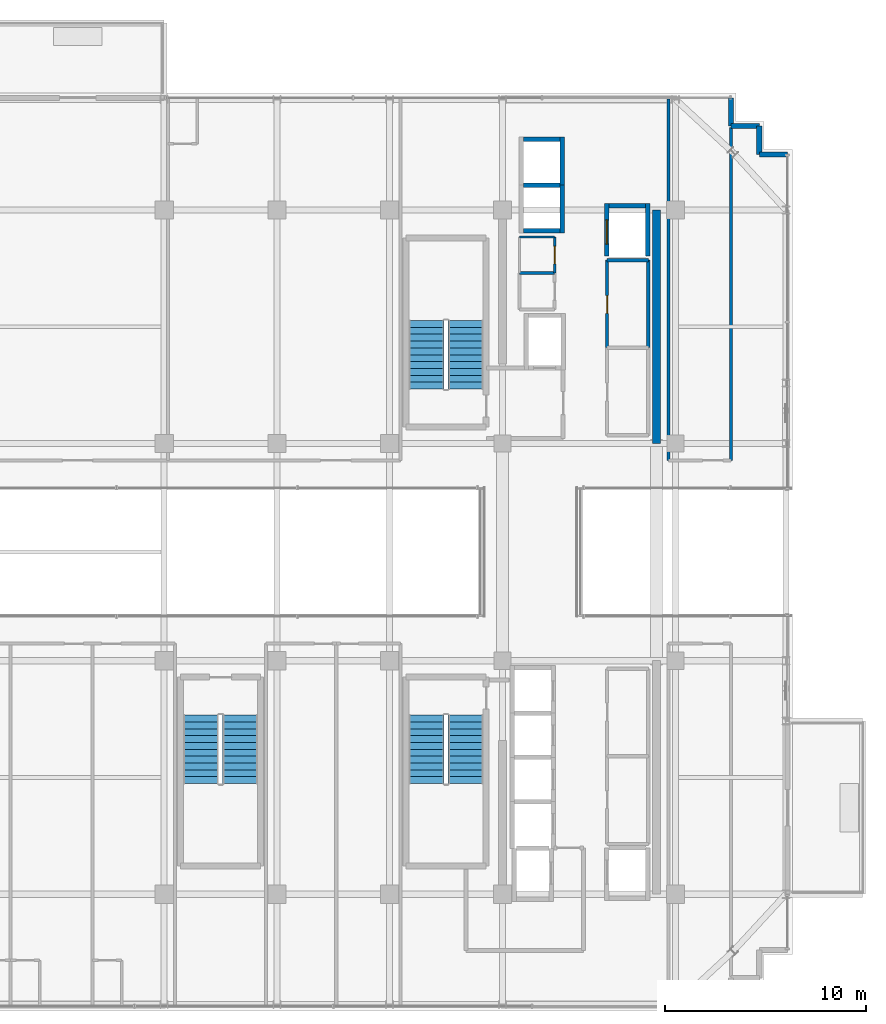
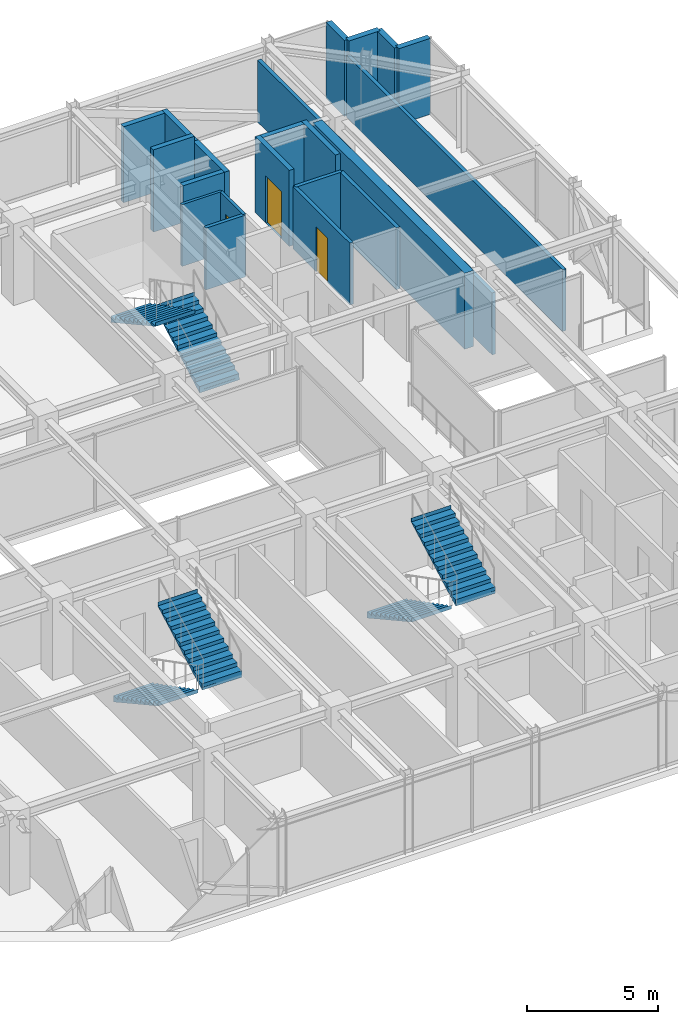
# One storey, part 35 of 39: 21 walls, 6 stair flights, 3 doors, 3 openings, 3 elements without a shape of their own.
"""IFC4 building model written with IfcOpenShell, lengths in metres."""

from ifc_helpers import new_model, si_unit, direction, frame, frame_2d, origin, place, context, subcontext, project, spatial, polyline, rectangle, outline, extrude, source, transform, mapped, material, layer, layer_set, type_object, element, fill, aggregate, save


model = new_model("IFC4")

# Units and contexts
model_context = context("Model", 3, precision=1e-05, world=origin(), true_north=direction((0.0, 1.0)))
body_context = subcontext(model_context, "Body", "Model", "MODEL_VIEW")
ifc_project = project(units=[si_unit("LENGTHUNIT", "METRE"), si_unit("AREAUNIT", "SQUARE_METRE"), si_unit("VOLUMEUNIT", "CUBIC_METRE"), si_unit("PLANEANGLEUNIT", "RADIAN"), si_unit("MASSUNIT", "GRAM", prefix="KILO")], contexts=[model_context])

# Site, building, storey
site_placement = place(None, origin())
site = spatial("IfcSite", under=ifc_project, at=site_placement, CompositionType="ELEMENT")
building_placement = place(site_placement, origin())
building = spatial("IfcBuilding", under=site, at=building_placement, Name="Nahalor Promenade Grand Hotel", CompositionType="ELEMENT")
storey_placement = place(building_placement, frame((0.0, 0.0, 311.89990234375)))
storey = spatial("IfcBuildingStorey", under=building, at=storey_placement, Name="L80", CompositionType="ELEMENT", Elevation=311.89990234375)

# Walls
ifc_material_1 = material(Name="Concrete B-50 (C40/50)", Category="concrete")
ifc_layer_1 = layer(ifc_material_1, 0.39990234375)
ifc_layer_set_1 = layer_set([ifc_layer_1], Name="Concrete B-50 (C40/50)")
wall_type_1 = type_object("IfcWallType", Name="Wall-CoreShear-400", PredefinedType="SHEAR", material=ifc_layer_set_1)
shared_shape_1 = source(origin(), body_context, "Body", "SweptSolid", [
    extrude(rectangle(XDim=11.60009765625, YDim=0.39990234375, at=frame_2d((5.800048828125, 0.0))), origin(), (0.0, 0.0, 1.0), 3.550048828125),
])
wall_1_placement = place(storey_placement, frame((16.050048828125, 5.39990234375, 0.0), z_axis=(0.0, 0.0, 1.0), x_axis=(0.0, 1.0, 0.0)))
element("IfcWall", 1, at=wall_1_placement, inside=storey, type_object=wall_type_1, Name="CWALL-L80-NE", PredefinedType="SHEAR", context=body_context, shape_type="MappedRepresentation", body=[
    mapped(shared_shape_1, transform((0.0, 0.0, 0.0), scale=1.0)),
])
ifc_layer_2 = layer(ifc_material_1, 0.219970703125)
ifc_layer_set_2 = layer_set([ifc_layer_2], Name="Concrete B-50 (C40/50)")
wall_type_2 = type_object("IfcWallType", Name="Wall-LiftShaft-220", PredefinedType="SHEAR", material=ifc_layer_set_2)
shared_shape_2 = source(origin(), body_context, "Body", "SweptSolid", [
    extrude(rectangle(XDim=1.820068359375, YDim=0.219970703125, at=frame_2d((0.91015625, 0.0))), origin(), (0.0, 0.0, 1.0), 3.550048828125),
])
for number, where, z_axis, x_axis, name in (
    (2, (9.43994140625, 15.949951171875, 0.0), (0.0, 0.0, 1.0), (1.0, 0.0, 0.0), "L80 Lift OB1 Hoistway Wall S"),
    (3, (9.43994140625, 20.5, 0.0), (0.0, 0.0, 1.0), (1.0, 0.0, 0.0), "L80 Lift OB2 Hoistway Wall N"),
    (4, (13.68994140625, 17.199951171875, 0.0), (0.0, 0.0, 1.0), (1.0, 0.0, 0.0), "L80 Lift SV1 Hoistway Wall N"),
):
    element("IfcWall", number, at=place(storey_placement, frame(where, z_axis=z_axis, x_axis=x_axis)), inside=storey, type_object=wall_type_2, Name=name, PredefinedType="SHEAR", context=body_context, shape_type="MappedRepresentation", body=[
        mapped(shared_shape_2, transform((0.0, 0.0, 0.0), scale=1.0)),
    ])
shared_shape_3 = source(origin(), body_context, "Body", "SweptSolid", [
    extrude(rectangle(XDim=1.820068359375, YDim=0.219970703125, at=frame_2d((0.91015625, 0.0))), origin(), (0.0, 0.0, 1.0), 3.85009765625),
])
wall_2_placement = place(storey_placement, frame((9.43994140625, 18.22509765625, 0.0), z_axis=(0.0, 0.0, 1.0), x_axis=(1.0, 0.0, 0.0)))
element("IfcWall", 5, at=wall_2_placement, inside=storey, type_object=wall_type_2, Name="L80 Lift OB1 Hoistway Wall N", PredefinedType="SHEAR", context=body_context, shape_type="MappedRepresentation", body=[
    mapped(shared_shape_3, transform((0.0, 0.0, 0.0), scale=1.0)),
])
shared_shape_4 = source(origin(), body_context, "Body", "SweptSolid", [
    extrude(rectangle(XDim=2.385009765625, YDim=0.219970703125, at=frame_2d((1.1923828125, 0.0))), origin(), (0.0, 0.0, 1.0), 3.550048828125),
])
for number, where, z_axis, x_axis, name in (
    (6, (11.3701171875, 15.840087890625, 0.0), (0.0, 0.0, 1.0), (0.0, 1.0, 0.0), "L80 Lift OB1 Hoistway Wall E"),
    (7, (11.3701171875, 18.22509765625, 0.0), (0.0, 0.0, 1.0), (0.0, 1.0, 0.0), "L80 Lift OB2 Hoistway Wall E"),
):
    element("IfcWall", number, at=place(storey_placement, frame(where, z_axis=z_axis, x_axis=x_axis)), inside=storey, type_object=wall_type_2, Name=name, PredefinedType="SHEAR", context=body_context, shape_type="MappedRepresentation", body=[
        mapped(shared_shape_4, transform((0.0, 0.0, 0.0), scale=1.0)),
    ])

# Wall, opening, door
shared_shape_5 = source(origin(), body_context, "Body", "SweptSolid", [
    extrude(rectangle(XDim=2.610107421875, YDim=0.219970703125, at=frame_2d((1.30517578125, 0.0))), origin(), (0.0, 0.0, 1.0), 3.550048828125),
])
wall_3_placement = place(storey_placement, frame((13.580078125, 14.699951171875, 0.0), z_axis=(0.0, 0.0, 1.0), x_axis=(0.0, 1.0, 0.0)))
wall_3 = element("IfcWall", 8, at=wall_3_placement, inside=storey, type_object=wall_type_2, Name="L80 Lift SV1 Hoistway Wall W", PredefinedType="SHEAR", context=body_context, shape_type="MappedRepresentation", body=[
    mapped(shared_shape_5, transform((0.0, 0.0, 0.0), scale=1.0)),
])
opening_1_placement = place(wall_3_placement, frame((0.60009765625, 0.0, 0.0)))
opening_1 = element("IfcOpeningElement", 9, at=opening_1_placement, cuts=wall_3, Name="Opening LD-03", PredefinedType="OPENING", context=body_context, shape_type="SweptSolid", body=[
    extrude(rectangle(XDim=1.199951171875, YDim=2.199951171875, at=frame_2d((0.60009765625, 1.10009765625))), frame((0.0, 0.119873046875, 0.0), z_axis=(0.0, -1.0, 0.0), x_axis=(1.0, 0.0, 0.0)), (0.0, 0.0, 1.0), 0.239990234375),
])
ifc_material_2 = material(Name="Steel S355JR", Category="steel")
door_type_1 = type_object("IfcDoorType", Name="Door-LiftService-1200", OperationType="DOUBLE_DOOR_SLIDING", PredefinedType="DOOR", material=ifc_material_2)
shared_shape_6 = source(origin(), body_context, "Body", "SweptSolid", [
    extrude(rectangle(XDim=1.199951171875, YDim=2.199951171875, at=frame_2d((0.60009765625, 1.10009765625))), frame((0.0, 0.02490234375, 0.0), z_axis=(0.0, -1.0, 0.0), x_axis=(1.0, 0.0, 0.0)), (0.0, 0.0, 1.0), 0.050048828125),
])
door_1_placement = place(opening_1_placement, origin())
door_1 = element("IfcDoor", 10, at=door_1_placement, inside=storey, type_object=door_type_1, Name="DR-LIFT-SV1-L80", OperationType="DOUBLE_DOOR_SLIDING", OverallHeight=2.199951171875, OverallWidth=1.199951171875, PredefinedType="DOOR", context=body_context, shape_type="MappedRepresentation", body=[
    mapped(shared_shape_6, transform((0.0, 0.0, 0.0), scale=1.0)),
])
fill(opening_1, door_1)

# Walls
wall_4_placement = place(storey_placement, frame((15.6201171875, 14.699951171875, 0.0), z_axis=(0.0, 0.0, 1.0), x_axis=(0.0, 1.0, 0.0)))
element("IfcWall", 11, at=wall_4_placement, inside=storey, type_object=wall_type_2, Name="L80 Lift SV1 Hoistway Wall E", PredefinedType="SHEAR", context=body_context, shape_type="MappedRepresentation", body=[
    mapped(shared_shape_5, transform((0.0, 0.0, 0.0), scale=1.0)),
])
ifc_material_3 = material(Name="Concrete B-40 (C32/40)", Category="concrete")
ifc_layer_3 = layer(ifc_material_3, 0.25)
ifc_layer_set_3 = layer_set([ifc_layer_3], Name="Concrete B-40 (C32/40)")
wall_type_3 = type_object("IfcWallType", Name="Wall-BronzePier-250", PredefinedType="STANDARD", material=ifc_layer_set_3)
shared_shape_7 = source(origin(), body_context, "Body", "SweptSolid", [
    extrude(rectangle(XDim=1.400146484375, YDim=0.25, at=frame_2d((0.7001953125, 0.0))), origin(), (0.0, 0.0, 1.0), 3.550048828125),
])
for number, where, z_axis, x_axis, name in (
    (12, (21.159912109375, 19.760009765625, 0.0), (0.0, 0.0, 1.0), (1.0, 0.0, 0.0), "W-L80-SR-05"),
    (13, (19.760009765625, 21.159912109375, 0.0), (0.0, 0.0, 1.0), (0.0, 1.0, 0.0), "W-L80-SR-08"),
):
    element("IfcWall", number, at=place(storey_placement, frame(where, z_axis=z_axis, x_axis=x_axis)), inside=storey, type_object=wall_type_3, Name=name, PredefinedType="STANDARD", context=body_context, shape_type="MappedRepresentation", body=[
        mapped(shared_shape_7, transform((0.0, 0.0, 0.0), scale=1.0)),
    ])
shared_shape_8 = source(origin(), body_context, "Body", "SweptSolid", [
    extrude(rectangle(XDim=1.39990234375, YDim=0.25, at=frame_2d((0.699951171875, 0.0))), origin(), (0.0, 0.0, 1.0), 3.550048828125),
])
for number, where, z_axis, x_axis, name in (
    (14, (21.159912109375, 19.760009765625, 0.0), (0.0, 0.0, 1.0), (0.0, 1.0, 0.0), "W-L80-SR-06"),
    (15, (19.760009765625, 21.159912109375, 0.0), (0.0, 0.0, 1.0), (1.0, 0.0, 0.0), "W-L80-SR-07"),
):
    element("IfcWall", number, at=place(storey_placement, frame(where, z_axis=z_axis, x_axis=x_axis)), inside=storey, type_object=wall_type_3, Name=name, PredefinedType="STANDARD", context=body_context, shape_type="MappedRepresentation", body=[
        mapped(shared_shape_8, transform((0.0, 0.0, 0.0), scale=1.0)),
    ])
ifc_material_4 = material(Name="Acoustic Mineral Gypsum", Category="gypsum")
ifc_layer_4 = layer(ifc_material_4, 0.14990234375)
ifc_layer_set_4 = layer_set([ifc_layer_4], Name="Acoustic Mineral Gypsum")
wall_type_4 = type_object("IfcWallType", Name="Wall-PartService-150", PredefinedType="PARTITIONING", material=ifc_layer_set_4)
shared_shape_9 = source(origin(), body_context, "Body", "SweptSolid", [
    extrude(rectangle(XDim=1.75, YDim=0.14990234375, at=frame_2d((0.875, 0.0))), origin(), (0.0, 0.0, 1.0), 2.89013671875),
])
wall_5_placement = place(storey_placement, frame((9.25, 13.85009765625, 0.0), z_axis=(0.0, 0.0, 1.0), x_axis=(1.0, 0.0, 0.0)))
element("IfcWall", 16, at=wall_5_placement, inside=storey, type_object=wall_type_4, Name="W-L80-CK2A-N", PredefinedType="PARTITIONING", context=body_context, shape_type="MappedRepresentation", body=[
    mapped(shared_shape_9, transform((0.0, 0.0, 0.0), scale=1.0)),
])
ifc_layer_5 = layer(ifc_material_4, 0.1201171875)
ifc_layer_set_5 = layer_set([ifc_layer_5], Name="Acoustic Mineral Gypsum")
wall_type_5 = type_object("IfcWallType", Name="Wall-PartBath-120", PredefinedType="PARTITIONING", material=ifc_layer_set_5)
shared_shape_10 = source(origin(), body_context, "Body", "SweptSolid", [
    extrude(rectangle(XDim=1.75, YDim=0.1201171875, at=frame_2d((0.875, 0.0))), origin(), (0.0, 0.0, 1.0), 2.89013671875),
])
wall_6_placement = place(storey_placement, frame((9.25, 15.64990234375, 0.0), z_axis=(0.0, 0.0, 1.0), x_axis=(1.0, 0.0, 0.0)))
element("IfcWall", 17, at=wall_6_placement, inside=storey, type_object=wall_type_5, Name="W-L80-CK2B-N", PredefinedType="PARTITIONING", context=body_context, shape_type="MappedRepresentation", body=[
    mapped(shared_shape_10, transform((0.0, 0.0, 0.0), scale=1.0)),
])
ifc_layer_6 = layer(ifc_material_4, 0.159912109375)
ifc_layer_set_6 = layer_set([ifc_layer_6], Name="Acoustic Mineral Gypsum")
wall_type_6 = type_object("IfcWallType", Name="Wall-PartCorridor-160", PredefinedType="PARTITIONING", material=ifc_layer_set_6)
shared_shape_11 = source(origin(), body_context, "Body", "SweptSolid", [
    extrude(rectangle(XDim=2.0498046875, YDim=0.159912109375, at=frame_2d((1.02490234375, 0.0))), origin(), (0.0, 0.0, 1.0), 2.89013671875),
])
wall_7_placement = place(storey_placement, frame((13.60009765625, 14.5, 0.0), z_axis=(0.0, 0.0, 1.0), x_axis=(1.0, 0.0, 0.0)))
element("IfcWall", 18, at=wall_7_placement, inside=storey, type_object=wall_type_6, Name="W-L80-FRB1B-N", PredefinedType="PARTITIONING", context=body_context, shape_type="MappedRepresentation", body=[
    mapped(shared_shape_11, transform((0.0, 0.0, 0.0), scale=1.0)),
])
shared_shape_12 = source(origin(), body_context, "Body", "SweptSolid", [
    extrude(rectangle(XDim=17.949951171875, YDim=0.159912109375, at=frame_2d((8.97509765625, 0.0))), origin(), (0.0, 0.0, 1.0), 2.89013671875),
])
wall_8_placement = place(storey_placement, frame((16.64990234375, 4.550048828125, 0.0), z_axis=(0.0, 0.0, 1.0), x_axis=(0.0, 1.0, 0.0)))
element("IfcWall", 19, at=wall_8_placement, inside=storey, type_object=wall_type_6, Name="W-L80-ENE-W", PredefinedType="PARTITIONING", context=body_context, shape_type="MappedRepresentation", body=[
    mapped(shared_shape_12, transform((0.0, 0.0, 0.0), scale=1.0)),
])
shared_shape_13 = source(origin(), body_context, "Body", "SweptSolid", [
    extrude(rectangle(XDim=16.530029296875, YDim=0.159912109375, at=frame_2d((8.26513671875, 0.0))), origin(), (0.0, 0.0, 1.0), 2.89013671875),
])
wall_9_placement = place(storey_placement, frame((19.760009765625, 4.550048828125, 0.0), z_axis=(0.0, 0.0, 1.0), x_axis=(0.0, 1.0, 0.0)))
element("IfcWall", 20, at=wall_9_placement, inside=storey, type_object=wall_type_6, Name="W-L80-ENE-E", PredefinedType="PARTITIONING", context=body_context, shape_type="MappedRepresentation", body=[
    mapped(shared_shape_13, transform((0.0, 0.0, 0.0), scale=1.0)),
])

# Wall, opening, door
shared_shape_14 = source(origin(), body_context, "Body", "SweptSolid", [
    extrude(rectangle(XDim=1.7998046875, YDim=0.1201171875, at=frame_2d((0.89990234375, 0.0))), origin(), (0.0, 0.0, 1.0), 2.89013671875),
])
wall_10_placement = place(storey_placement, frame((11.0, 13.85009765625, 0.0), z_axis=(0.0, 0.0, 1.0), x_axis=(0.0, 1.0, 0.0)))
wall_10 = element("IfcWall", 21, at=wall_10_placement, inside=storey, type_object=wall_type_5, Name="W-L80-CK2B-E", PredefinedType="PARTITIONING", context=body_context, shape_type="MappedRepresentation", body=[
    mapped(shared_shape_14, transform((0.0, 0.0, 0.0), scale=1.0)),
])
opening_2_placement = place(wall_10_placement, frame((0.4599609375, 0.0, 0.0)))
opening_2 = element("IfcOpeningElement", 22, at=opening_2_placement, cuts=wall_10, Name="Opening D-03", PredefinedType="OPENING", context=body_context, shape_type="SweptSolid", body=[
    extrude(rectangle(XDim=0.8798828125, YDim=2.10009765625, at=frame_2d((0.43994140625, 1.050048828125))), frame((0.0, 0.070068359375, 0.0), z_axis=(0.0, -1.0, 0.0), x_axis=(1.0, 0.0, 0.0)), (0.0, 0.0, 1.0), 0.14013671875),
])
ifc_material_5 = material(Name="Fire-Rated Timber Composite", Category="wood")
door_type_2 = type_object("IfcDoorType", Name="Door-BathSwing-880", OperationType="NOTDEFINED", PredefinedType="DOOR", material=ifc_material_5)
shared_shape_15 = source(origin(), body_context, "Body", "SweptSolid", [
    extrude(rectangle(XDim=0.8798828125, YDim=2.10009765625, at=frame_2d((0.43994140625, 1.050048828125))), frame((0.0, 0.02490234375, 0.0), z_axis=(0.0, -1.0, 0.0), x_axis=(1.0, 0.0, 0.0)), (0.0, 0.0, 1.0), 0.050048828125),
])
door_2_placement = place(opening_2_placement, origin())
door_2 = element("IfcDoor", 23, at=door_2_placement, inside=storey, type_object=door_type_2, Name="DR-L80-CK2B", OperationType="SINGLE_SWING_LEFT", OverallHeight=2.10009765625, OverallWidth=0.8798828125, PredefinedType="DOOR", context=body_context, shape_type="MappedRepresentation", body=[
    mapped(shared_shape_15, transform((0.0, 0.0, 0.0), scale=1.0)),
])
fill(opening_2, door_2)

shared_shape_16 = source(origin(), body_context, "Body", "SweptSolid", [
    extrude(rectangle(XDim=4.35009765625, YDim=0.159912109375, at=frame_2d((2.175048828125, 0.0))), origin(), (0.0, 0.0, 1.0), 2.89013671875),
])
wall_11_placement = place(storey_placement, frame((13.60009765625, 10.14990234375, 0.0), z_axis=(0.0, 0.0, 1.0), x_axis=(0.0, 1.0, 0.0)))
wall_11 = element("IfcWall", 24, at=wall_11_placement, inside=storey, type_object=wall_type_6, Name="W-L80-FRB1B-W", PredefinedType="PARTITIONING", context=body_context, shape_type="MappedRepresentation", body=[
    mapped(shared_shape_16, transform((0.0, 0.0, 0.0), scale=1.0)),
])
opening_3_placement = place(wall_11_placement, frame((1.7099609375, 0.0, 0.0)))
opening_3 = element("IfcOpeningElement", 25, at=opening_3_placement, cuts=wall_11, Name="Opening D-03", PredefinedType="OPENING", context=body_context, shape_type="SweptSolid", body=[
    extrude(rectangle(XDim=0.8798828125, YDim=2.10009765625, at=frame_2d((0.43994140625, 1.050048828125))), frame((0.0, 0.08984375, 0.0), z_axis=(0.0, -1.0, 0.0), x_axis=(1.0, 0.0, 0.0)), (0.0, 0.0, 1.0), 0.179931640625),
])
door_3_placement = place(opening_3_placement, frame((0.8798828125, 0.0, 0.0), z_axis=(0.0, 0.0, 1.0), x_axis=(-1.0, 0.0, 0.0)))
door_3 = element("IfcDoor", 26, at=door_3_placement, inside=storey, type_object=door_type_2, Name="DR-L80-FRB1B", OperationType="SINGLE_SWING_LEFT", OverallHeight=2.10009765625, OverallWidth=0.8798828125, PredefinedType="DOOR", context=body_context, shape_type="MappedRepresentation", body=[
    mapped(shared_shape_15, transform((0.0, 0.0, 0.0), scale=1.0)),
])
fill(opening_3, door_3)

# Wall
wall_12_placement = place(storey_placement, frame((15.64990234375, 10.14990234375, 0.0), z_axis=(0.0, 0.0, 1.0), x_axis=(0.0, 1.0, 0.0)))
element("IfcWall", 27, at=wall_12_placement, inside=storey, type_object=wall_type_6, Name="W-L80-FRB1B-E", PredefinedType="PARTITIONING", context=body_context, shape_type="MappedRepresentation", body=[
    mapped(shared_shape_16, transform((0.0, 0.0, 0.0), scale=1.0)),
])

# Stair, stair flights
stair_type_1 = type_object("IfcStairType", Name="Stair-ST1", PredefinedType="HALF_TURN_STAIR", material=ifc_material_1)
stair_1_placement = place(storey_placement, origin())
stair_1 = element("IfcStair", 28, at=stair_1_placement, inside=storey, type_object=stair_type_1, Name="L80 ST1", PredefinedType="HALF_TURN_STAIR")
ifc_layer_7 = layer(ifc_material_1, 0.179931640625)
ifc_layer_set_7 = layer_set([ifc_layer_7], Name="Concrete B-50 (C40/50)")
stair_flight_type_1 = type_object("IfcStairFlightType", Name="Flight-ST1", PredefinedType="STRAIGHT", material=ifc_layer_set_7)
shared_shape_17 = source(origin(), body_context, "Body", "SweptSolid", [
    extrude(outline(polyline([(-0.00390625, -0.1201171875), (-0.00390625, 0.0), (0.0, 0.0), (0.0, 0.175048828125), (0.340087890625, 0.175048828125), (0.340087890625, 0.35009765625), (0.679931640625, 0.35009765625), (0.679931640625, 0.52490234375), (1.02001953125, 0.52490234375), (1.02001953125, 0.699951171875), (1.360107421875, 0.699951171875), (1.360107421875, 0.875), (1.699951171875, 0.875), (1.699951171875, 1.050048828125), (2.0400390625, 1.050048828125), (2.0400390625, 1.22509765625), (2.3798828125, 1.22509765625), (2.3798828125, 1.39990234375), (2.719970703125, 1.39990234375), (2.719970703125, 1.574951171875), (3.06005859375, 1.574951171875), (3.06005859375, 1.75), (3.39990234375, 1.75), (3.39990234375, 1.925048828125), (3.404052734375, 1.925048828125), (3.404052734375, 1.7451171875), (0.02001953125, -0.1201171875), (-0.00390625, -0.1201171875)])), frame((0.0, 0.875, 0.0), z_axis=(0.0, -1.0, 0.0), x_axis=(1.0, 0.0, 0.0)), (0.0, 0.0, 1.0), 1.75),
])
stair_flight_1_placement = place(storey_placement, frame((6.574951171875, 8.10009765625, 0.0), z_axis=(0.0, 0.0, 1.0), x_axis=(0.0, 1.0, 0.0)))
stair_flight_1 = element("IfcStairFlight", 29, at=stair_flight_1_placement, type_object=stair_flight_type_1, Name="ST1 flight 1", NumberOfRisers=11, NumberOfTreads=10, PredefinedType="STRAIGHT", RiserHeight=0.175, TreadLength=0.34, context=body_context, shape_type="MappedRepresentation", body=[
    mapped(shared_shape_17, transform((0.0, 0.0, 0.0), scale=1.0)),
])
stair_flight_2_placement = place(storey_placement, frame((4.625, 11.5, 1.925048828125), z_axis=(0.0, 0.0, 1.0), x_axis=(0.0, -1.0, 0.0)))
stair_flight_2 = element("IfcStairFlight", 30, at=stair_flight_2_placement, type_object=stair_flight_type_1, Name="ST1 flight 2", NumberOfRisers=11, NumberOfTreads=10, PredefinedType="STRAIGHT", RiserHeight=0.175, TreadLength=0.34, context=body_context, shape_type="MappedRepresentation", body=[
    mapped(shared_shape_17, transform((0.0, 0.0, 0.0), scale=1.0)),
])
aggregate(stair_1, [stair_flight_1, stair_flight_2])

stair_type_2 = type_object("IfcStairType", Name="Stair-ST2", PredefinedType="HALF_TURN_STAIR", material=ifc_material_1)
stair_2_placement = place(storey_placement, origin())
stair_2 = element("IfcStair", 31, at=stair_2_placement, inside=storey, type_object=stair_type_2, Name="L80 ST2", PredefinedType="HALF_TURN_STAIR")
ifc_layer_8 = layer(ifc_material_1, 0.18994140625)
ifc_layer_set_8 = layer_set([ifc_layer_8], Name="Concrete B-50 (C40/50)")
stair_flight_type_2 = type_object("IfcStairFlightType", Name="Flight-ST2", PredefinedType="STRAIGHT", material=ifc_layer_set_8)
shared_shape_18 = source(origin(), body_context, "Body", "SweptSolid", [
    extrude(outline(polyline([(-0.00390625, -0.1201171875), (-0.00390625, 0.0), (0.0, 0.0), (0.0, 0.175048828125), (0.340087890625, 0.175048828125), (0.340087890625, 0.35009765625), (0.679931640625, 0.35009765625), (0.679931640625, 0.52490234375), (1.02001953125, 0.52490234375), (1.02001953125, 0.699951171875), (1.360107421875, 0.699951171875), (1.360107421875, 0.875), (1.699951171875, 0.875), (1.699951171875, 1.050048828125), (2.0400390625, 1.050048828125), (2.0400390625, 1.22509765625), (2.3798828125, 1.22509765625), (2.3798828125, 1.39990234375), (2.719970703125, 1.39990234375), (2.719970703125, 1.574951171875), (3.06005859375, 1.574951171875), (3.06005859375, 1.75), (3.39990234375, 1.75), (3.39990234375, 1.925048828125), (3.404052734375, 1.925048828125), (3.404052734375, 1.7451171875), (0.02001953125, -0.1201171875), (-0.00390625, -0.1201171875)])), frame((0.0, 0.875, 0.0), z_axis=(0.0, -1.0, 0.0), x_axis=(1.0, 0.0, 0.0)), (0.0, 0.0, 1.0), 1.75),
])
stair_flight_3_placement = place(storey_placement, frame((4.625, -8.10009765625, 0.0), z_axis=(0.0, 0.0, 1.0), x_axis=(0.0, -1.0, 0.0)))
stair_flight_3 = element("IfcStairFlight", 32, at=stair_flight_3_placement, type_object=stair_flight_type_2, Name="ST2 flight 1", NumberOfRisers=11, NumberOfTreads=10, PredefinedType="STRAIGHT", RiserHeight=0.175, TreadLength=0.34, context=body_context, shape_type="MappedRepresentation", body=[
    mapped(shared_shape_18, transform((0.0, 0.0, 0.0), scale=1.0)),
])
stair_flight_4_placement = place(storey_placement, frame((6.574951171875, -11.5, 1.925048828125), z_axis=(0.0, 0.0, 1.0), x_axis=(0.0, 1.0, 0.0)))
stair_flight_4 = element("IfcStairFlight", 33, at=stair_flight_4_placement, type_object=stair_flight_type_2, Name="ST2 flight 2", NumberOfRisers=11, NumberOfTreads=10, PredefinedType="STRAIGHT", RiserHeight=0.175, TreadLength=0.34, context=body_context, shape_type="MappedRepresentation", body=[
    mapped(shared_shape_18, transform((0.0, 0.0, 0.0), scale=1.0)),
])
aggregate(stair_2, [stair_flight_3, stair_flight_4])

stair_type_3 = type_object("IfcStairType", Name="Stair-ST3", PredefinedType="HALF_TURN_STAIR", material=ifc_material_1)
stair_3_placement = place(storey_placement, origin())
stair_3 = element("IfcStair", 34, at=stair_3_placement, inside=storey, type_object=stair_type_3, Name="L80 ST3", PredefinedType="HALF_TURN_STAIR")
ifc_layer_9 = layer(ifc_material_1, 0.199951171875)
ifc_layer_set_9 = layer_set([ifc_layer_9], Name="Concrete B-50 (C40/50)")
stair_flight_type_3 = type_object("IfcStairFlightType", Name="Flight-ST3", PredefinedType="STRAIGHT", material=ifc_layer_set_9)
shared_shape_19 = source(origin(), body_context, "Body", "SweptSolid", [
    extrude(outline(polyline([(-0.00390625, -0.1201171875), (-0.00390625, 0.0), (0.0, 0.0), (0.0, 0.175048828125), (0.340087890625, 0.175048828125), (0.340087890625, 0.35009765625), (0.679931640625, 0.35009765625), (0.679931640625, 0.52490234375), (1.02001953125, 0.52490234375), (1.02001953125, 0.699951171875), (1.360107421875, 0.699951171875), (1.360107421875, 0.875), (1.699951171875, 0.875), (1.699951171875, 1.050048828125), (2.0400390625, 1.050048828125), (2.0400390625, 1.22509765625), (2.3798828125, 1.22509765625), (2.3798828125, 1.39990234375), (2.719970703125, 1.39990234375), (2.719970703125, 1.574951171875), (3.06005859375, 1.574951171875), (3.06005859375, 1.75), (3.39990234375, 1.75), (3.39990234375, 1.925048828125), (3.404052734375, 1.925048828125), (3.404052734375, 1.7451171875), (0.02001953125, -0.1201171875), (-0.00390625, -0.1201171875)])), frame((0.0, 0.875, 0.0), z_axis=(0.0, -1.0, 0.0), x_axis=(1.0, 0.0, 0.0)), (0.0, 0.0, 1.0), 1.75),
])
stair_flight_5_placement = place(storey_placement, frame((-6.574951171875, -8.10009765625, 0.0), z_axis=(0.0, 0.0, 1.0), x_axis=(0.0, -1.0, 0.0)))
stair_flight_5 = element("IfcStairFlight", 35, at=stair_flight_5_placement, type_object=stair_flight_type_3, Name="ST3 flight 1", NumberOfRisers=11, NumberOfTreads=10, PredefinedType="STRAIGHT", RiserHeight=0.175, TreadLength=0.34, context=body_context, shape_type="MappedRepresentation", body=[
    mapped(shared_shape_19, transform((0.0, 0.0, 0.0), scale=1.0)),
])
stair_flight_6_placement = place(storey_placement, frame((-4.625, -11.5, 1.925048828125), z_axis=(0.0, 0.0, 1.0), x_axis=(0.0, 1.0, 0.0)))
stair_flight_6 = element("IfcStairFlight", 36, at=stair_flight_6_placement, type_object=stair_flight_type_3, Name="ST3 flight 2", NumberOfRisers=11, NumberOfTreads=10, PredefinedType="STRAIGHT", RiserHeight=0.175, TreadLength=0.34, context=body_context, shape_type="MappedRepresentation", body=[
    mapped(shared_shape_19, transform((0.0, 0.0, 0.0), scale=1.0)),
])
aggregate(stair_3, [stair_flight_5, stair_flight_6])

save(model, "model.ifc")
